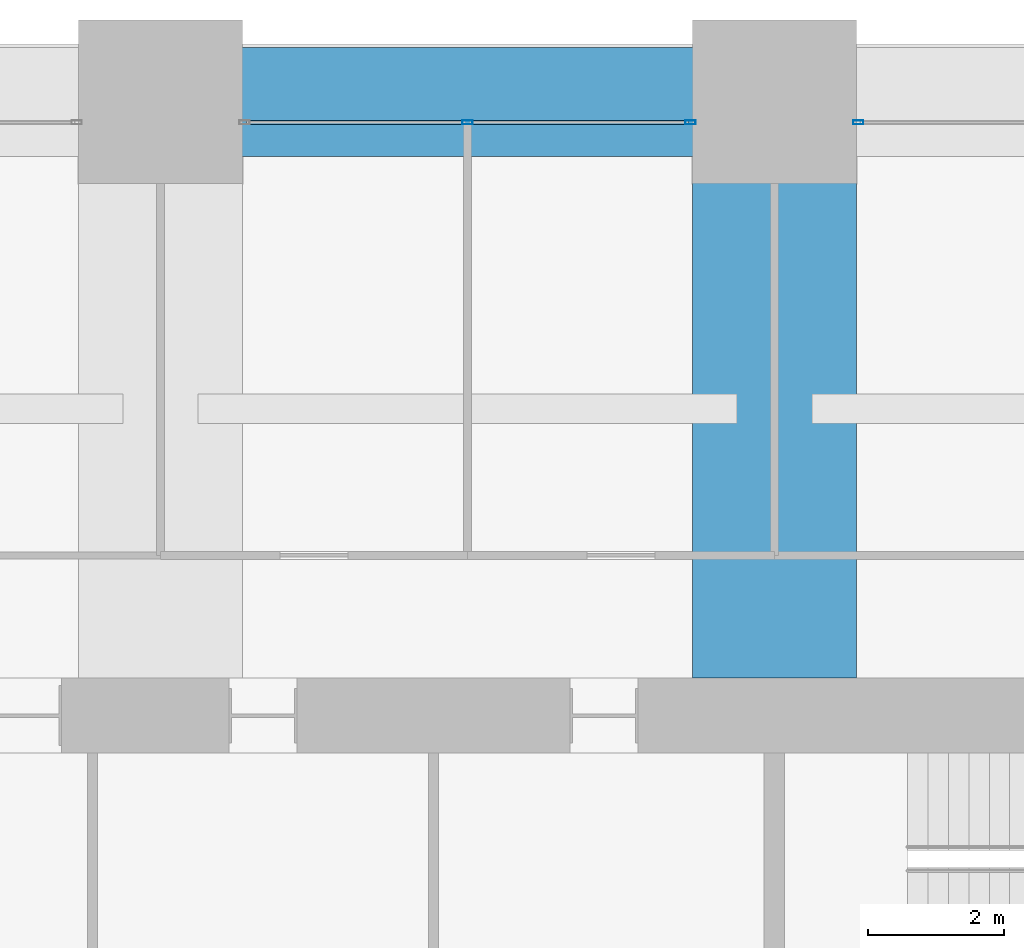
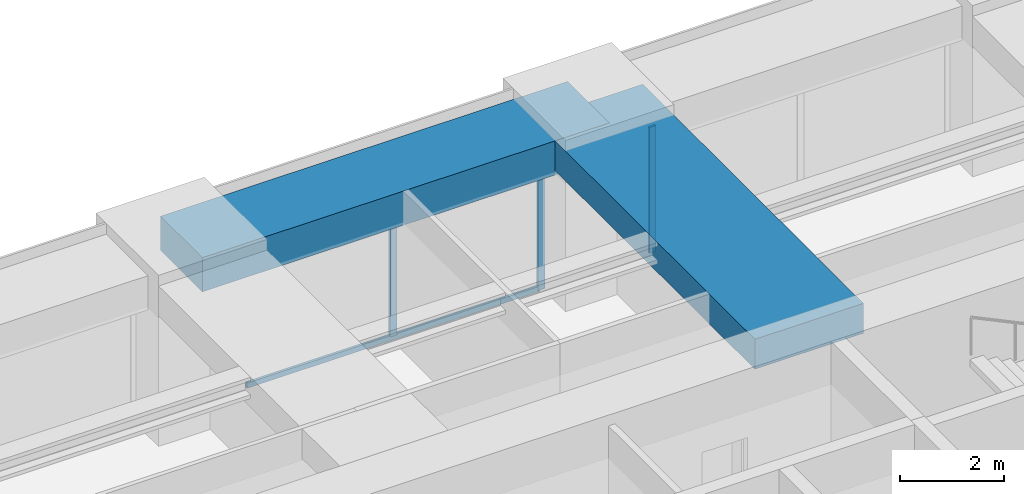
# One storey, part 25 of 34: 4 members, 2 beams, 2 elements without a shape of their own.
"""IFC4 building model written with IfcOpenShell, lengths in metres."""

from ifc_helpers import new_model, si_unit, direction, frame, origin, origin_2d, place, context, subcontext, project, spatial, rectangle, hollow_rectangle, extrude, material, material_profile, profile_set, type_object, element, aggregate, save


model = new_model("IFC4")

# Units and contexts
model_context = context("Model", 3, precision=1e-05, world=origin(), true_north=direction((0.0, 1.0)))
body_context = subcontext(model_context, "Body", "Model", "MODEL_VIEW")
ifc_project = project(units=[si_unit("LENGTHUNIT", "METRE"), si_unit("AREAUNIT", "SQUARE_METRE"), si_unit("VOLUMEUNIT", "CUBIC_METRE"), si_unit("PLANEANGLEUNIT", "RADIAN"), si_unit("MASSUNIT", "GRAM", prefix="KILO")], contexts=[model_context])

# Site, building, storey
site_placement = place(None, origin())
site = spatial("IfcSite", under=ifc_project, at=site_placement, CompositionType="ELEMENT")
building_placement = place(site_placement, origin())
building = spatial("IfcBuilding", under=site, at=building_placement, Name="Zorevar Civic Tower", CompositionType="ELEMENT")
storey_placement = place(building_placement, frame((0.0, 0.0, 226.199951171875)))
storey = spatial("IfcBuildingStorey", under=building, at=storey_placement, Name="L55", CompositionType="ELEMENT", Elevation=226.199951171875)

# Beam
ifc_material_1 = material(Name="Concrete C50/60", Category="concrete")
ifc_material_profile_1 = material_profile(ifc_material_1, rectangle(XDim=2.39990234375, YDim=0.699951171875, at=origin_2d()), Name="RC 2400x700")
ifc_profile_set_1 = profile_set([ifc_material_profile_1], Name="Concrete C50/60")
beam_type_1 = type_object("IfcBeamType", Name="Beam RC 2400x700", PredefinedType="BEAM", material=ifc_profile_set_1)
beam_1_placement = place(storey_placement, frame((36.0, 36.550048828125, 3.400146484375), z_axis=(0.0, 1.0, 0.0), x_axis=(-1.0, 0.0, 0.0)))
element("IfcBeam", 1, at=beam_1_placement, inside=storey, type_object=beam_type_1, Name="Girder L56", PredefinedType="BEAM", context=body_context, shape_type="SweptSolid", body=[
    extrude(rectangle(XDim=2.39990234375, YDim=0.699951171875, at=origin_2d()), origin(), (0.0, 0.0, 1.0), 8.449951171875),
])

# Curtain wall, members
ifc_material_2 = material(Name="Dark grey solar-control glass in black aluminium frame", Category="aluminium")
curtain_wall_type = type_object("IfcCurtainWallType", Name="Curtain wall CW4 high zone", PredefinedType="NOTDEFINED", material=ifc_material_2)
curtain_wall_1_placement = place(storey_placement, origin())
curtain_wall_1 = element("IfcCurtainWall", 2, at=curtain_wall_1_placement, inside=storey, type_object=curtain_wall_type, Name="CW4 L55", PredefinedType="NOTDEFINED")
ifc_material_3 = material(Name="Aluminium, black anodised", Category="aluminium")
ifc_material_profile_2 = material_profile(ifc_material_3, hollow_rectangle(XDim=0.06005859375, YDim=0.14990234375, WallThickness=0.00390625, at=origin_2d()), Name="AL 150x60x4")
ifc_profile_set_2 = profile_set([ifc_material_profile_2], Name="Aluminium, black anodised")
member_type_1 = type_object("IfcMemberType", Name="CW4 mullion AL 150x60x4", PredefinedType="MULLION", material=ifc_profile_set_2)
member_1_placement = place(storey_placement, frame((31.5, 44.699951171875, 0.06005859375), z_axis=(0.0, 0.0, 1.0), x_axis=(0.0, 1.0, 0.0)))
member_1 = element("IfcMember", 3, at=member_1_placement, type_object=member_type_1, Name="CW4 mullion 2", PredefinedType="MULLION", context=body_context, shape_type="SweptSolid", body=[
    extrude(hollow_rectangle(XDim=0.06005859375, YDim=0.14990234375, WallThickness=0.00390625, at=origin_2d()), origin(), (0.0, 0.0, 1.0), 2.889892578125),
])
member_2_placement = place(storey_placement, frame((34.77001953125, 44.699951171875, 0.0), z_axis=(0.0, 0.0, 1.0), x_axis=(0.0, 1.0, 0.0)))
member_2 = element("IfcMember", 4, at=member_2_placement, type_object=member_type_1, Name="CW4 mullion 3", PredefinedType="MULLION", context=body_context, shape_type="SweptSolid", body=[
    extrude(hollow_rectangle(XDim=0.06005859375, YDim=0.14990234375, WallThickness=0.00390625, at=origin_2d()), origin(), (0.0, 0.0, 1.0), 2.949951171875),
])

# Curtain wall, member
curtain_wall_2_placement = place(storey_placement, origin())
curtain_wall_2 = element("IfcCurtainWall", 5, at=curtain_wall_2_placement, inside=storey, type_object=curtain_wall_type, Name="CW4 L55", PredefinedType="NOTDEFINED")
member_3_placement = place(storey_placement, frame((37.22998046875, 44.699951171875, 0.0), z_axis=(0.0, 0.0, 1.0), x_axis=(0.0, 1.0, 0.0)))
member_3 = element("IfcMember", 6, at=member_3_placement, type_object=member_type_1, Name="CW4 mullion 1", PredefinedType="MULLION", context=body_context, shape_type="SweptSolid", body=[
    extrude(hollow_rectangle(XDim=0.06005859375, YDim=0.14990234375, WallThickness=0.00390625, at=origin_2d()), origin(), (0.0, 0.0, 1.0), 2.949951171875),
])
aggregate(curtain_wall_2, [member_3])

# Member
ifc_material_4 = material(Name="Aluminium, black anodised", Category="aluminium")
ifc_material_profile_3 = material_profile(ifc_material_4, hollow_rectangle(XDim=0.06005859375, YDim=0.1201171875, WallThickness=0.0029296875, at=origin_2d()), Name="AL 120x60x3")
ifc_profile_set_3 = profile_set([ifc_material_profile_3], Name="Aluminium, black anodised")
member_type_2 = type_object("IfcMemberType", Name="CW4 transom AL 120x60x3", PredefinedType="USERDEFINED", material=ifc_profile_set_3)
member_4_placement = place(storey_placement, frame((28.260009765625, 44.699951171875, 0.030029296875), z_axis=(1.0, 0.0, 0.0), x_axis=(0.0, 1.0, 0.0)))
member_4 = element("IfcMember", 7, at=member_4_placement, type_object=member_type_2, Name="CW4 sill transom", ObjectType="TRANSOM", PredefinedType="USERDEFINED", context=body_context, shape_type="SweptSolid", body=[
    extrude(hollow_rectangle(XDim=0.06005859375, YDim=0.1201171875, WallThickness=0.0029296875, at=origin_2d()), origin(), (0.0, 0.0, 1.0), 6.47998046875),
])

aggregate(curtain_wall_1, [member_1, member_2, member_4])

# Beam
ifc_material_5 = material(Name="Concrete C50/60", Category="concrete")
ifc_material_profile_4 = material_profile(ifc_material_5, rectangle(XDim=1.60009765625, YDim=0.800048828125, at=origin_2d()), Name="RC 1600x800")
ifc_profile_set_4 = profile_set([ifc_material_profile_4], Name="Concrete C50/60")
beam_type_2 = type_object("IfcBeamType", Name="Edge beam RC 1600x800", PredefinedType="SPANDREL", material=ifc_profile_set_4)
beam_2_placement = place(storey_placement, frame((27.0, 45.0, 3.35009765625), z_axis=(1.0, 0.0, 0.0), x_axis=(0.0, 1.0, 0.0)))
element("IfcBeam", 8, at=beam_2_placement, inside=storey, type_object=beam_type_2, Name="Edge beam L56", PredefinedType="SPANDREL", context=body_context, shape_type="SweptSolid", body=[
    extrude(rectangle(XDim=1.60009765625, YDim=0.800048828125, at=origin_2d()), origin(), (0.0, 0.0, 1.0), 9.0),
])

save(model, "model.ifc")
